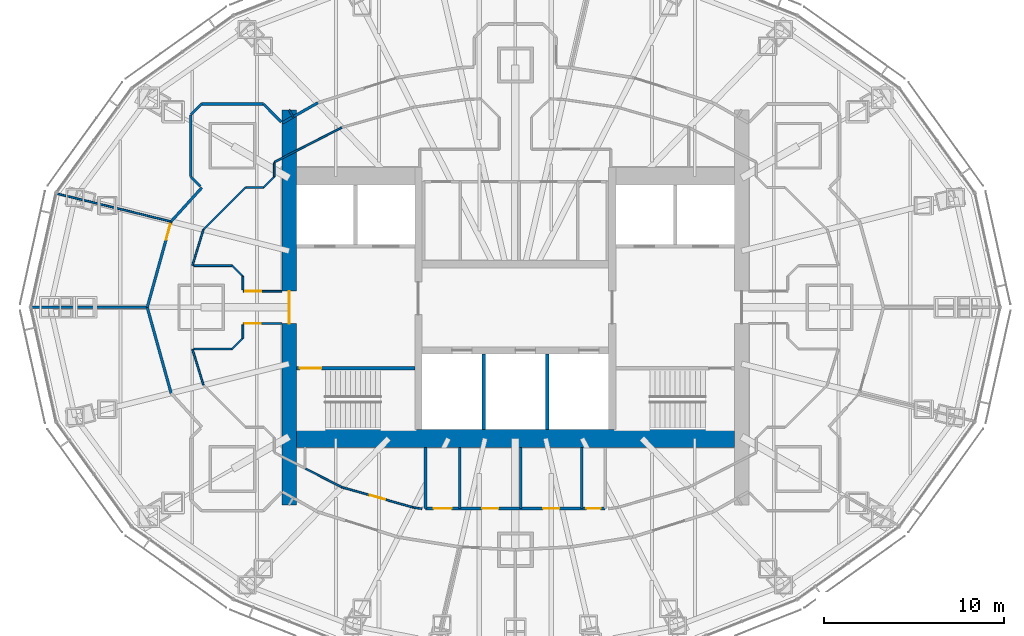
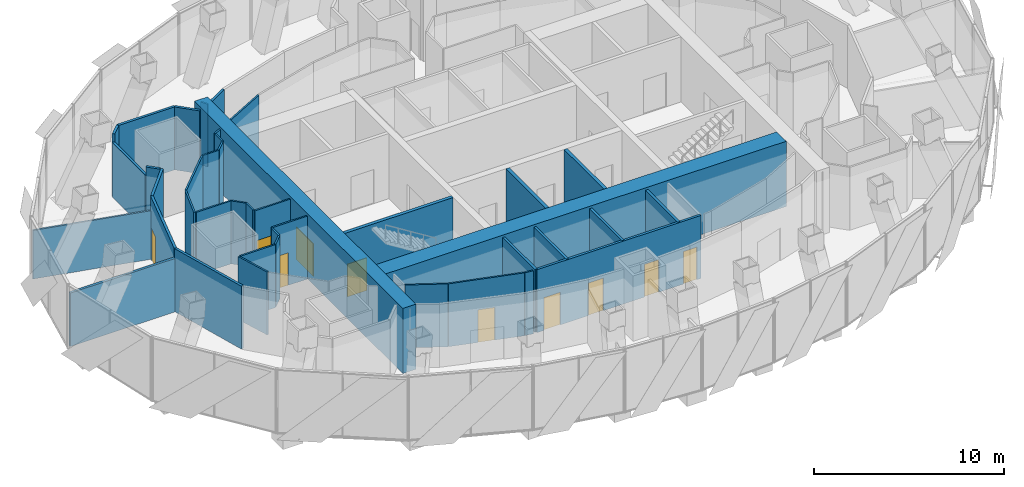
# One storey, part 12 of 18: 40 walls, 10 doors, 10 openings.
"""IFC4 building model written with IfcOpenShell, lengths in metres."""

import ifcopenshell
import ifcopenshell.guid

model = None  # the IFC model being written
_history = None  # IfcOwnerHistory: only IFC2X3 demands one
_inside = {}  # id of a spatial element -> (the spatial element, [elements in it])
_under = {}  # id of a project, library or spatial element -> (it, [spatial elements below it])
_declared = {}  # id of a project -> (the project, [libraries it declares])
_typed = {}  # id of a type object -> (the type object, [elements of that type])
_made_of = {}  # id of a material, layer set ... -> (it, [elements and type objects made of it])


def new_model(schema):
    """Start an empty IFC model of exactly this schema.

    Asked for "IFC4X3", IfcOpenShell would pick the latest addendum, in which some entities
    have other attributes; the version numbers below select the first issue.
    IFC2X3 requires an IfcOwnerHistory on every rooted entity: one is made here for all.
    """
    global model, _history
    if schema == "IFC4X3":
        model = ifcopenshell.file(schema_version=(4, 3, 0, 0))
    else:
        model = ifcopenshell.file(schema=schema)
    _inside.clear()
    _under.clear()
    _declared.clear()
    _typed.clear()
    _made_of.clear()
    _history = None
    if model.schema == "IFC2X3":
        org = make("IfcOrganization", Name="unknown")
        user = make(
            "IfcPersonAndOrganization",
            ThePerson=make("IfcPerson", FamilyName="unknown"),
            TheOrganization=org,
        )
        app = make(
            "IfcApplication",
            ApplicationDeveloper=org,
            Version="unknown",
            ApplicationFullName="unknown",
            ApplicationIdentifier="unknown",
        )
        _history = make(
            "IfcOwnerHistory",
            OwningUser=user,
            OwningApplication=app,
            ChangeAction="ADDED",
            CreationDate=0,
        )
    return model


def make(cls, **values):
    """One entity of the class cls with the attributes given. An attribute that is None is left unset."""
    return model.create_entity(
        cls, **{name: value for name, value in values.items() if value is not None}
    )


def rooted(cls, **values):
    """An entity with a GlobalId (a new one), such as an element, a storey or a relation."""
    return make(cls, GlobalId=ifcopenshell.guid.new(), OwnerHistory=_history, **values)


def si_unit(unit_type, name, prefix=None):
    """IfcSIUnit, for example si_unit("LENGTHUNIT", "METRE", prefix="MILLI")."""
    return make("IfcSIUnit", UnitType=unit_type, Prefix=prefix, Name=name)


def assignment(units):
    """IfcUnitAssignment: the units of a project."""
    return None if units is None else make("IfcUnitAssignment", Units=units)


def point(xyz):
    """IfcCartesianPoint."""
    return None if xyz is None else make("IfcCartesianPoint", Coordinates=xyz)


def direction(xyz):
    """IfcDirection."""
    return None if xyz is None else make("IfcDirection", DirectionRatios=xyz)


def frame(location, z_axis=None, x_axis=None):
    """IfcAxis2Placement3D, a coordinate frame: its origin and axes. An axis left out is left unset."""
    return make(
        "IfcAxis2Placement3D",
        Location=point(location),
        Axis=direction(z_axis),
        RefDirection=direction(x_axis),
    )


def frame_2d(location, x_axis=None):
    """IfcAxis2Placement2D, a coordinate frame in the plane: its origin and x axis."""
    return make(
        "IfcAxis2Placement2D", Location=point(location), RefDirection=direction(x_axis)
    )


def origin():
    """The frame at (0, 0, 0) with its axes left unset."""
    return frame((0.0, 0.0, 0.0))


def place(relative_to, where):
    """IfcLocalPlacement: puts the frame where relative to a parent placement (None: the world)."""
    return make(
        "IfcLocalPlacement", PlacementRelTo=relative_to, RelativePlacement=where
    )


def context(
    kind, dimensions, precision=None, world=None, true_north=None, identifier=None
):
    """IfcGeometricRepresentationContext, for example the 3D "Model" context."""
    return make(
        "IfcGeometricRepresentationContext",
        ContextIdentifier=identifier,
        ContextType=kind,
        CoordinateSpaceDimension=dimensions,
        Precision=precision,
        WorldCoordinateSystem=world,
        TrueNorth=true_north,
    )


def subcontext(parent, identifier, kind, view, scale=None):
    """IfcGeometricRepresentationSubContext, for example "Body" below "Model"."""
    return make(
        "IfcGeometricRepresentationSubContext",
        ContextIdentifier=identifier,
        ContextType=kind,
        ParentContext=parent,
        TargetScale=scale,
        TargetView=view,
    )


def project(units=None, contexts=None):
    """IfcProject with its units and contexts."""
    return rooted(
        "IfcProject",
        Name="project",
        RepresentationContexts=contexts,
        UnitsInContext=assignment(units),
    )


def spatial(cls, under=None, at=None, **own):
    """A site, building, storey or space (cls), placed at a placement, below another one or the project."""
    s = rooted(cls, ObjectPlacement=at, **own)
    if under is not None:
        _under.setdefault(under.id(), (under, []))[1].append(s)
    return s


def profile(cls, at=None, kind="AREA", **sizes):
    """A parametric profile (cls). Its sizes go by their IFC names, for example OverallWidth=200.0."""
    return make(cls, ProfileType=kind, Position=at, **sizes)


def rectangle(**sizes):
    """IfcRectangleProfileDef."""
    return profile("IfcRectangleProfileDef", **sizes)


def extrude(swept, where, along, depth):
    """IfcExtrudedAreaSolid: the profile swept, set in the frame where, extruded along a direction by depth."""
    return make(
        "IfcExtrudedAreaSolid",
        SweptArea=swept,
        Position=where,
        ExtrudedDirection=direction(along),
        Depth=depth,
    )


def shape(context_of_items, identifier, shape_type, items):
    """IfcShapeRepresentation: the items that make up one representation, for example the "Body"."""
    return make(
        "IfcShapeRepresentation",
        ContextOfItems=context_of_items,
        RepresentationIdentifier=identifier,
        RepresentationType=shape_type,
        Items=items,
    )


def material(Name=None, Category=None):
    """IfcMaterial."""
    return make("IfcMaterial", Name=Name, Category=Category)


def layer(
    of_material, thickness, ventilated=None, Name=None, Category=None, Priority=None
):
    """IfcMaterialLayer: one layer of a wall or slab, of a material (None: an air gap)."""
    return make(
        "IfcMaterialLayer",
        Material=of_material,
        LayerThickness=thickness,
        IsVentilated=ventilated,
        Name=Name,
        Category=Category,
        Priority=Priority,
    )


def layer_set(layers, Name=None):
    """IfcMaterialLayerSet."""
    return make("IfcMaterialLayerSet", MaterialLayers=layers, LayerSetName=Name)


def made_of(thing, what):
    """Note that an element or type object is made of a material, layer set ...; save() writes the relation."""
    if what is not None:
        _made_of.setdefault(what.id(), (what, []))[1].append(thing)
    return thing


def type_object(cls, material=None, **own):
    """A type object (cls), such as IfcWallType, which elements share."""
    return made_of(rooted(cls, **own), material)


def element(
    cls,
    number,
    at=None,
    inside=None,
    cuts=None,
    type_object=None,
    material=None,
    context=None,
    identifier="Body",
    shape_type=None,
    held_by="IfcProductDefinitionShape",
    body=None,
    shapes=None,
    **own,
):
    """One element of the class cls, such as IfcWall. Its Tag is "e" and its number.

    at: its placement. inside: the storey or other place that contains it. cuts: it is an
    opening in that element (IfcRelVoidsElement). A single representation is given by context,
    identifier, shape_type and body (its items); several are given by shapes. held_by: the class
    of the entity that holds the representations. save() writes the other relations.
    """
    e = rooted(cls, Tag="e%d" % number, ObjectPlacement=at, **own)
    if body is not None:
        shapes = [shape(context, identifier, shape_type, body)]
    if shapes is not None:
        e.Representation = make(held_by, Representations=shapes)
    if inside is not None:
        _inside.setdefault(inside.id(), (inside, []))[1].append(e)
    if cuts is not None:
        rooted(
            "IfcRelVoidsElement", RelatingBuildingElement=cuts, RelatedOpeningElement=e
        )
    if type_object is not None:
        _typed.setdefault(type_object.id(), (type_object, []))[1].append(e)
    return made_of(e, material)


def fill(opening, filler):
    """IfcRelFillsElement: the door or window that sits in an opening."""
    return rooted(
        "IfcRelFillsElement",
        RelatingOpeningElement=opening,
        RelatedBuildingElement=filler,
    )


def aggregate(whole, parts):
    """IfcRelAggregates: a whole, such as a stair, and the parts it consists of."""
    return rooted("IfcRelAggregates", RelatingObject=whole, RelatedObjects=parts)


def save(model, path):
    """Write the relations noted so far, then the file.

    IfcRelAggregates (storeys below a building ...), IfcRelContainedInSpatialStructure (elements
    in a storey), IfcRelDefinesByType, IfcRelAssociatesMaterial and IfcRelDeclares: one each for
    every whole, place, type object, material and project.
    """
    for whole, parts in _under.values():
        aggregate(whole, parts)
    for where, things in _inside.values():
        rooted(
            "IfcRelContainedInSpatialStructure",
            RelatedElements=things,
            RelatingStructure=where,
        )
    for kind, things in _typed.values():
        rooted("IfcRelDefinesByType", RelatedObjects=things, RelatingType=kind)
    for what, things in _made_of.values():
        rooted("IfcRelAssociatesMaterial", RelatedObjects=things, RelatingMaterial=what)
    for by, libraries in _declared.values():
        rooted("IfcRelDeclares", RelatingContext=by, RelatedDefinitions=libraries)
    model.write(path)


model = new_model("IFC4")

# Units and contexts
model_context = context("Model", 3, precision=1e-05, world=origin(), true_north=direction((0.0, 1.0)))
body_context = subcontext(model_context, "Body", "Model", "MODEL_VIEW")
ifc_project = project(units=[si_unit("LENGTHUNIT", "METRE"), si_unit("AREAUNIT", "SQUARE_METRE"), si_unit("VOLUMEUNIT", "CUBIC_METRE"), si_unit("PLANEANGLEUNIT", "RADIAN"), si_unit("MASSUNIT", "GRAM", prefix="KILO")], contexts=[model_context])

# Site, building, storey
site_placement = place(None, origin())
site = spatial("IfcSite", under=ifc_project, at=site_placement, CompositionType="ELEMENT")
building_placement = place(site_placement, origin())
building = spatial("IfcBuilding", under=site, at=building_placement, Name="Lantaw Convention Tower", CompositionType="ELEMENT")
storey_placement = place(building_placement, frame((0.0, 0.0, 266.199951171875)))
storey = spatial("IfcBuildingStorey", under=building, at=storey_placement, Name="L62", CompositionType="ELEMENT", Elevation=266.199951171875)

# Wall
ifc_material_1 = material(Name="Concrete C60/75", Category="concrete")
ifc_layer_1 = layer(ifc_material_1, 1.0)
ifc_layer_set_1 = layer_set([ifc_layer_1], Name="Core wall 1000")
wall_type_1 = type_object("IfcWallType", Name="Core wall 1000", PredefinedType="SHEAR", material=ifc_layer_set_1)
wall_1_placement = place(storey_placement, frame((-12.199951171875, -7.300048828125, 0.0), z_axis=(0.0, 0.0, 1.0), x_axis=(1.0, 0.0, 0.0)))
element("IfcWall", 1, at=wall_1_placement, inside=storey, type_object=wall_type_1, Name="Core wall S", PredefinedType="SHEAR", context=body_context, shape_type="SweptSolid", body=[
    extrude(rectangle(XDim=24.39990234375, YDim=1.0, at=frame_2d((12.199951171875, 0.0))), origin(), (0.0, 0.0, 1.0), 4.199951171875),
])

# Wall, opening, door
ifc_layer_2 = layer(ifc_material_1, 0.199951171875)
ifc_layer_set_2 = layer_set([ifc_layer_2], Name="Core wall 200")
wall_type_2 = type_object("IfcWallType", Name="Core wall 200", PredefinedType="SHEAR", material=ifc_layer_set_2)
wall_2_placement = place(storey_placement, frame((-5.60009765625, -3.39990234375, 0.0), z_axis=(0.0, 0.0, 1.0), x_axis=(-1.0, 0.0, 0.0)))
wall_2 = element("IfcWall", 2, at=wall_2_placement, inside=storey, type_object=wall_type_2, Name="Core wall WS", PredefinedType="SHEAR", context=body_context, shape_type="SweptSolid", body=[
    extrude(rectangle(XDim=6.599853515625, YDim=0.199951171875, at=frame_2d((3.2998046875, 0.0))), origin(), (0.0, 0.0, 1.0), 4.199951171875),
])
opening_1_placement = place(wall_2_placement, frame((5.199951171875, 0.0, 0.0)))
opening_1 = element("IfcOpeningElement", 3, at=opening_1_placement, cuts=wall_2, Name="Opening L62.04", PredefinedType="OPENING", context=body_context, shape_type="SweptSolid", body=[
    extrude(rectangle(XDim=1.199951171875, YDim=2.10009765625, at=frame_2d((0.60009765625, 1.050048828125))), frame((0.0, 0.10986328125, 0.0), z_axis=(0.0, -1.0, 0.0), x_axis=(1.0, 0.0, 0.0)), (0.0, 0.0, 1.0), 0.219970703125),
])
ifc_material_2 = material(Name="Steel, fire rated", Category="steel")
door_type_1 = type_object("IfcDoorType", Name="Stair door FD90", OperationType="SINGLE_SWING_RIGHT", PredefinedType="DOOR", material=ifc_material_2)
door_1_placement = place(opening_1_placement, origin())
door_1 = element("IfcDoor", 4, at=door_1_placement, inside=storey, type_object=door_type_1, Name="Exit stair door", OperationType="SINGLE_SWING_RIGHT", OverallHeight=2.10009765625, OverallWidth=1.199951171875, PredefinedType="DOOR", context=body_context, shape_type="SweptSolid", body=[
    extrude(rectangle(XDim=1.199951171875, YDim=2.10009765625, at=frame_2d((0.60009765625, 1.050048828125))), frame((0.0, 0.02490234375, 0.0), z_axis=(0.0, -1.0, 0.0), x_axis=(1.0, 0.0, 0.0)), (0.0, 0.0, 1.0), 0.050048828125),
])
fill(opening_1, door_1)

ifc_layer_3 = layer(ifc_material_1, 0.800048828125)
ifc_layer_set_3 = layer_set([ifc_layer_3], Name="Core wall 800")
wall_type_3 = type_object("IfcWallType", Name="Core wall 800", PredefinedType="SHEAR", material=ifc_layer_set_3)
wall_3_placement = place(storey_placement, frame((-12.60009765625, 11.0, 0.0), z_axis=(0.0, 0.0, 1.0), x_axis=(0.0, -1.0, 0.0)))
wall_3 = element("IfcWall", 5, at=wall_3_placement, inside=storey, type_object=wall_type_3, Name="Core wall W", PredefinedType="SHEAR", context=body_context, shape_type="SweptSolid", body=[
    extrude(rectangle(XDim=22.0, YDim=0.800048828125, at=frame_2d((11.0, 0.0))), origin(), (0.0, 0.0, 1.0), 4.199951171875),
])
opening_2_placement = place(wall_3_placement, frame((10.10009765625, 0.0, 0.0)))
opening_2 = element("IfcOpeningElement", 6, at=opening_2_placement, cuts=wall_3, Name="Opening L62.06", PredefinedType="OPENING", context=body_context, shape_type="SweptSolid", body=[
    extrude(rectangle(XDim=1.800048828125, YDim=2.10009765625, at=frame_2d((0.89990234375, 1.050048828125))), frame((0.0, 0.409912109375, 0.0), z_axis=(0.0, -1.0, 0.0), x_axis=(1.0, 0.0, 0.0)), (0.0, 0.0, 1.0), 0.820068359375),
])
door_type_2 = type_object("IfcDoorType", Name="Lobby double door FD90", OperationType="DOUBLE_DOOR_DOUBLE_SWING", PredefinedType="DOOR", material=ifc_material_2)
door_2_placement = place(opening_2_placement, origin())
door_2 = element("IfcDoor", 7, at=door_2_placement, inside=storey, type_object=door_type_2, Name="Firefighting lobby door", OperationType="DOUBLE_DOOR_DOUBLE_SWING", OverallHeight=2.10009765625, OverallWidth=1.800048828125, PredefinedType="DOOR", context=body_context, shape_type="SweptSolid", body=[
    extrude(rectangle(XDim=1.800048828125, YDim=2.10009765625, at=frame_2d((0.89990234375, 1.050048828125))), frame((0.0, 0.02490234375, 0.0), z_axis=(0.0, -1.0, 0.0), x_axis=(1.0, 0.0, 0.0)), (0.0, 0.0, 1.0), 0.050048828125),
])
fill(opening_2, door_2)

ifc_material_3 = material(Name="Gypsum board on steel studs, fire rated", Category="steel")
ifc_layer_4 = layer(ifc_material_3, 0.14990234375)
ifc_layer_set_4 = layer_set([ifc_layer_4], Name="Corridor wall 150 EI 60")
wall_type_4 = type_object("IfcWallType", Name="Corridor wall 150 EI 60", PredefinedType="PARTITIONING", material=ifc_layer_set_4)
wall_4_placement = place(storey_placement, frame((-19.171875, 4.780029296875, 0.0), z_axis=(0.0, 0.0, 1.0), x_axis=(-0.26770731566, -0.963500281859, 0.0)))
wall_4 = element("IfcWall", 8, at=wall_4_placement, inside=storey, type_object=wall_type_4, Name="Corridor wall 150", PredefinedType="PARTITIONING", context=body_context, shape_type="SweptSolid", body=[
    extrude(rectangle(XDim=4.961181640625, YDim=0.14990234375, at=frame_2d((2.48046875, 0.0))), origin(), (0.0, 0.0, 1.0), 4.050048828125),
])
opening_3_placement = place(wall_4_placement, frame((0.14990234375, 0.0, 0.0)))
opening_3 = element("IfcOpeningElement", 9, at=opening_3_placement, cuts=wall_4, Name="Opening L62.31", PredefinedType="OPENING", context=body_context, shape_type="SweptSolid", body=[
    extrude(rectangle(XDim=0.89990234375, YDim=2.10009765625, at=frame_2d((0.449951171875, 1.050048828125))), frame((0.0, 0.0849609375, 0.0), z_axis=(0.0, -1.0, 0.0), x_axis=(1.0, 0.0, 0.0)), (0.0, 0.0, 1.0), 0.169921875),
])
door_type_3 = type_object("IfcDoorType", Name="Office door 900 FD30", OperationType="SINGLE_SWING_LEFT", PredefinedType="DOOR", material=ifc_material_2)
door_3_placement = place(opening_3_placement, origin())
door_3 = element("IfcDoor", 10, at=door_3_placement, inside=storey, type_object=door_type_3, Name="Meeting room door", OperationType="SINGLE_SWING_LEFT", OverallHeight=2.10009765625, OverallWidth=0.89990234375, PredefinedType="DOOR", context=body_context, shape_type="SweptSolid", body=[
    extrude(rectangle(XDim=0.89990234375, YDim=2.10009765625, at=frame_2d((0.449951171875, 1.050048828125))), frame((0.0, 0.02490234375, 0.0), z_axis=(0.0, -1.0, 0.0), x_axis=(1.0, 0.0, 0.0)), (0.0, 0.0, 1.0), 0.050048828125),
])
fill(opening_3, door_3)

# Walls
wall_5_placement = place(storey_placement, frame((-20.5, 0.0, 0.0), z_axis=(0.0, 0.0, 1.0), x_axis=(0.26770731566, -0.963500281859, 0.0)))
element("IfcWall", 11, at=wall_5_placement, inside=storey, type_object=wall_type_4, Name="Corridor wall 150", PredefinedType="PARTITIONING", context=body_context, shape_type="SweptSolid", body=[
    extrude(rectangle(XDim=4.961181640625, YDim=0.14990234375, at=frame_2d((2.48046875, 0.0))), origin(), (0.0, 0.0, 1.0), 4.050048828125),
])
wall_6_placement = place(storey_placement, frame((-11.000732421875, 11.3916015625, 0.0), z_axis=(0.0, 0.0, 1.0), x_axis=(-0.869722107117, -0.493541747366, 0.0)))
element("IfcWall", 12, at=wall_6_placement, inside=storey, type_object=wall_type_4, Name="Corridor wall 150", PredefinedType="PARTITIONING", context=body_context, shape_type="SweptSolid", body=[
    extrude(rectangle(XDim=2.26953125, YDim=0.14990234375, at=frame_2d((1.134765625, 0.0))), origin(), (0.0, 0.0, 1.0), 4.050048828125),
])
wall_7_placement = place(storey_placement, frame((-17.462646484375, 6.6650390625, 0.0), z_axis=(0.0, 0.0, 1.0), x_axis=(-0.671721890643, -0.74080341632, 0.0)))
element("IfcWall", 13, at=wall_7_placement, inside=storey, type_object=wall_type_4, Name="Corridor wall 150", PredefinedType="PARTITIONING", context=body_context, shape_type="SweptSolid", body=[
    extrude(rectangle(XDim=2.54443359375, YDim=0.14990234375, at=frame_2d((1.272216796875, 0.0))), origin(), (0.0, 0.0, 1.0), 4.050048828125),
])
wall_8_placement = place(storey_placement, frame((-18.074951171875, 10.724609375, 0.0), z_axis=(0.0, 0.0, 1.0), x_axis=(0.707106781187, 0.707106781187, 0.0)))
element("IfcWall", 14, at=wall_8_placement, inside=storey, type_object=wall_type_4, Name="Corridor wall 150", PredefinedType="PARTITIONING", context=body_context, shape_type="SweptSolid", body=[
    extrude(rectangle(XDim=0.84912109375, YDim=0.14990234375, at=frame_2d((0.424560546875, 0.0))), origin(), (0.0, 0.0, 1.0), 4.050048828125),
])
wall_9_placement = place(storey_placement, frame((-17.474609375, 11.324951171875, 0.0), z_axis=(0.0, 0.0, 1.0), x_axis=(1.0, 0.0, 0.0)))
element("IfcWall", 15, at=wall_9_placement, inside=storey, type_object=wall_type_4, Name="Corridor wall 150", PredefinedType="PARTITIONING", context=body_context, shape_type="SweptSolid", body=[
    extrude(rectangle(XDim=3.44921875, YDim=0.14990234375, at=frame_2d((1.724609375, 0.0))), origin(), (0.0, 0.0, 1.0), 4.050048828125),
])
wall_10_placement = place(storey_placement, frame((-14.025390625, 11.324951171875, 0.0), z_axis=(0.0, 0.0, 1.0), x_axis=(0.701113567316, -0.713049623606, 0.0)))
element("IfcWall", 16, at=wall_10_placement, inside=storey, type_object=wall_type_4, Name="Corridor wall 150", PredefinedType="PARTITIONING", context=body_context, shape_type="SweptSolid", body=[
    extrude(rectangle(XDim=1.411376953125, YDim=0.14990234375, at=frame_2d((0.70556640625, 0.0))), origin(), (0.0, 0.0, 1.0), 4.050048828125),
])
wall_11_placement = place(storey_placement, frame((-17.537841796875, 6.73828125, 0.0), z_axis=(0.0, 0.0, 1.0), x_axis=(-0.707106781187, 0.707106781187, 0.0)))
element("IfcWall", 17, at=wall_11_placement, inside=storey, type_object=wall_type_4, Name="Corridor wall 150", PredefinedType="PARTITIONING", context=body_context, shape_type="SweptSolid", body=[
    extrude(rectangle(XDim=0.759521484375, YDim=0.14990234375, at=frame_2d((0.3798828125, 0.0))), origin(), (0.0, 0.0, 1.0), 4.050048828125),
])
wall_12_placement = place(storey_placement, frame((-18.074951171875, 7.275390625, 0.0), z_axis=(0.0, 0.0, 1.0), x_axis=(0.0, 1.0, 0.0)))
element("IfcWall", 18, at=wall_12_placement, inside=storey, type_object=wall_type_4, Name="Corridor wall 150", PredefinedType="PARTITIONING", context=body_context, shape_type="SweptSolid", body=[
    extrude(rectangle(XDim=3.44921875, YDim=0.14990234375, at=frame_2d((1.724609375, 0.0))), origin(), (0.0, 0.0, 1.0), 3.521728515625),
])
ifc_material_4 = material(Name="Gypsum board on steel studs, acoustic", Category="steel")
ifc_layer_5 = layer(ifc_material_4, 0.10009765625)
ifc_layer_set_5 = layer_set([ifc_layer_5], Name="Office partition 100")
wall_type_5 = type_object("IfcWallType", Name="Office partition 100", PredefinedType="PARTITIONING", material=ifc_layer_set_5)
wall_13_placement = place(storey_placement, frame((-25.54296875, 6.33544921875, 0.0), z_axis=(0.0, 0.0, 1.0), x_axis=(0.971467850621, -0.237171278215, 0.0)))
element("IfcWall", 19, at=wall_13_placement, inside=storey, type_object=wall_type_5, Name="Office partition 100", PredefinedType="PARTITIONING", context=body_context, shape_type="SweptSolid", body=[
    extrude(rectangle(XDim=6.55810546875, YDim=0.10009765625, at=frame_2d((3.279052734375, 0.0))), origin(), (0.0, 0.0, 1.0), 3.1279296875),
])
wall_14_placement = place(storey_placement, frame((-5.199951171875, -11.21630859375, 0.0), z_axis=(0.0, 0.0, 1.0), x_axis=(-0.989797891768, 0.142478536811, 0.0)))
element("IfcWall", 20, at=wall_14_placement, inside=storey, type_object=wall_type_5, Name="Office partition 100", PredefinedType="PARTITIONING", context=body_context, shape_type="SweptSolid", body=[
    extrude(rectangle(XDim=0.48486328125, YDim=0.10009765625, at=frame_2d((0.242431640625, 0.0))), origin(), (0.0, 0.0, 1.0), 4.050048828125),
])

# Wall, opening, door
wall_15_placement = place(storey_placement, frame((-5.679931640625, -11.147216796875, 0.0), z_axis=(0.0, 0.0, 1.0), x_axis=(-0.961973498971, 0.273142796496, 0.0)))
wall_15 = element("IfcWall", 21, at=wall_15_placement, inside=storey, type_object=wall_type_5, Name="Office partition 100", PredefinedType="PARTITIONING", context=body_context, shape_type="SweptSolid", body=[
    extrude(rectangle(XDim=4.148193359375, YDim=0.10009765625, at=frame_2d((2.07421875, 0.0))), origin(), (0.0, 0.0, 1.0), 4.050048828125),
])
opening_4_placement = place(wall_15_placement, frame((1.624267578125, 0.0, 0.0)))
opening_4 = element("IfcOpeningElement", 22, at=opening_4_placement, cuts=wall_15, Name="Opening L62.23", PredefinedType="OPENING", context=body_context, shape_type="SweptSolid", body=[
    extrude(rectangle(XDim=0.89990234375, YDim=2.10009765625, at=frame_2d((0.449951171875, 1.050048828125))), frame((0.0, 0.06005859375, 0.0), z_axis=(0.0, -1.0, 0.0), x_axis=(1.0, 0.0, 0.0)), (0.0, 0.0, 1.0), 0.1201171875),
])
ifc_material_5 = material(Name="Timber", Category="wood")
door_type_4 = type_object("IfcDoorType", Name="Office door 900", OperationType="SINGLE_SWING_LEFT", PredefinedType="DOOR", material=ifc_material_5)
door_4_placement = place(opening_4_placement, origin())
door_4 = element("IfcDoor", 23, at=door_4_placement, inside=storey, type_object=door_type_4, Name="Project room door", OperationType="SINGLE_SWING_LEFT", OverallHeight=2.10009765625, OverallWidth=0.89990234375, PredefinedType="DOOR", context=body_context, shape_type="SweptSolid", body=[
    extrude(rectangle(XDim=0.89990234375, YDim=2.10009765625, at=frame_2d((0.449951171875, 1.050048828125))), frame((0.0, 0.02490234375, 0.0), z_axis=(0.0, -1.0, 0.0), x_axis=(1.0, 0.0, 0.0)), (0.0, 0.0, 1.0), 0.050048828125),
])
fill(opening_4, door_4)

# Walls
wall_16_placement = place(storey_placement, frame((-9.67041015625, -10.01416015625, 0.0), z_axis=(0.0, 0.0, 1.0), x_axis=(-0.889605609385, 0.456729525814, 0.0)))
element("IfcWall", 24, at=wall_16_placement, inside=storey, type_object=wall_type_5, Name="Office partition 100", PredefinedType="PARTITIONING", context=body_context, shape_type="SweptSolid", body=[
    extrude(rectangle(XDim=2.292724609375, YDim=0.10009765625, at=frame_2d((1.146484375, 0.0))), origin(), (0.0, 0.0, 1.0), 4.050048828125),
])
wall_17_placement = place(storey_placement, frame((-12.60009765625, 11.0, 0.0), z_axis=(0.0, 0.0, 1.0), x_axis=(0.493794495037, -0.869578631678, 0.0)))
element("IfcWall", 25, at=wall_17_placement, inside=storey, type_object=wall_type_5, Name="Office partition 100", PredefinedType="PARTITIONING", context=body_context, shape_type="SweptSolid", body=[
    extrude(rectangle(XDim=0.448974609375, YDim=0.10009765625, at=frame_2d((0.224609375, 0.0))), origin(), (0.0, 0.0, 1.0), 4.050048828125),
])
wall_18_placement = place(storey_placement, frame((-17.37158203125, -4.331298828125, 0.0), z_axis=(0.0, 0.0, 1.0), x_axis=(-0.293231279211, 0.956041535129, 0.0)))
element("IfcWall", 26, at=wall_18_placement, inside=storey, type_object=wall_type_5, Name="Office partition 100", PredefinedType="PARTITIONING", context=body_context, shape_type="SweptSolid", body=[
    extrude(rectangle(XDim=2.088134765625, YDim=0.10009765625, at=frame_2d((1.0439453125, 0.0))), origin(), (0.0, 0.0, 1.0), 4.050048828125),
])

# Wall, opening, door
wall_19_placement = place(storey_placement, frame((-15.1650390625, -0.89990234375, 0.0), z_axis=(0.0, 0.0, 1.0), x_axis=(1.0, 0.0, 0.0)))
wall_19 = element("IfcWall", 27, at=wall_19_placement, inside=storey, type_object=wall_type_5, Name="Office partition 100", PredefinedType="PARTITIONING", context=body_context, shape_type="SweptSolid", body=[
    extrude(rectangle(XDim=2.1650390625, YDim=0.10009765625, at=frame_2d((1.08251953125, 0.0))), origin(), (0.0, 0.0, 1.0), 4.050048828125),
])
opening_5_placement = place(wall_19_placement, frame((0.10009765625, 0.0, 0.0)))
opening_5 = element("IfcOpeningElement", 28, at=opening_5_placement, cuts=wall_19, Name="Opening L62.22", PredefinedType="OPENING", context=body_context, shape_type="SweptSolid", body=[
    extrude(rectangle(XDim=0.89990234375, YDim=2.10009765625, at=frame_2d((0.449951171875, 1.050048828125))), frame((0.0, 0.06005859375, 0.0), z_axis=(0.0, -1.0, 0.0), x_axis=(1.0, 0.0, 0.0)), (0.0, 0.0, 1.0), 0.1201171875),
])
door_5_placement = place(opening_5_placement, origin())
door_5 = element("IfcDoor", 29, at=door_5_placement, inside=storey, type_object=door_type_4, Name="Meeting room door", OperationType="SINGLE_SWING_LEFT", OverallHeight=2.10009765625, OverallWidth=0.89990234375, PredefinedType="DOOR", context=body_context, shape_type="SweptSolid", body=[
    extrude(rectangle(XDim=0.89990234375, YDim=2.10009765625, at=frame_2d((0.449951171875, 1.050048828125))), frame((0.0, 0.02490234375, 0.0), z_axis=(0.0, -1.0, 0.0), x_axis=(1.0, 0.0, 0.0)), (0.0, 0.0, 1.0), 0.050048828125),
])
fill(opening_5, door_5)

wall_20_placement = place(storey_placement, frame((-13.0, 0.89990234375, 0.0), z_axis=(0.0, 0.0, 1.0), x_axis=(-1.0, 0.0, 0.0)))
wall_20 = element("IfcWall", 30, at=wall_20_placement, inside=storey, type_object=wall_type_5, Name="Office partition 100", PredefinedType="PARTITIONING", context=body_context, shape_type="SweptSolid", body=[
    extrude(rectangle(XDim=2.1650390625, YDim=0.10009765625, at=frame_2d((1.08251953125, 0.0))), origin(), (0.0, 0.0, 1.0), 4.050048828125),
])
opening_6_placement = place(wall_20_placement, frame((1.14990234375, 0.0, 0.0)))
opening_6 = element("IfcOpeningElement", 31, at=opening_6_placement, cuts=wall_20, Name="Opening L62.27", PredefinedType="OPENING", context=body_context, shape_type="SweptSolid", body=[
    extrude(rectangle(XDim=0.89990234375, YDim=2.10009765625, at=frame_2d((0.449951171875, 1.050048828125))), frame((0.0, 0.06005859375, 0.0), z_axis=(0.0, -1.0, 0.0), x_axis=(1.0, 0.0, 0.0)), (0.0, 0.0, 1.0), 0.1201171875),
])
door_6_placement = place(opening_6_placement, origin())
door_6 = element("IfcDoor", 32, at=door_6_placement, inside=storey, type_object=door_type_4, Name="Project room door", OperationType="SINGLE_SWING_LEFT", OverallHeight=2.10009765625, OverallWidth=0.89990234375, PredefinedType="DOOR", context=body_context, shape_type="SweptSolid", body=[
    extrude(rectangle(XDim=0.89990234375, YDim=2.10009765625, at=frame_2d((0.449951171875, 1.050048828125))), frame((0.0, 0.02490234375, 0.0), z_axis=(0.0, -1.0, 0.0), x_axis=(1.0, 0.0, 0.0)), (0.0, 0.0, 1.0), 0.050048828125),
])
fill(opening_6, door_6)

# Walls
wall_21_placement = place(storey_placement, frame((-17.98388671875, 2.3349609375, 0.0), z_axis=(0.0, 0.0, 1.0), x_axis=(0.293231279211, 0.956041535129, 0.0)))
element("IfcWall", 33, at=wall_21_placement, inside=storey, type_object=wall_type_5, Name="Office partition 100", PredefinedType="PARTITIONING", context=body_context, shape_type="SweptSolid", body=[
    extrude(rectangle(XDim=2.088134765625, YDim=0.10009765625, at=frame_2d((1.0439453125, 0.0))), origin(), (0.0, 0.0, 1.0), 4.050048828125),
])
wall_22_placement = place(storey_placement, frame((-15.175048828125, -0.978271484375, 0.0), z_axis=(0.0, 0.0, 1.0), x_axis=(0.0, -1.0, 0.0)))
element("IfcWall", 34, at=wall_22_placement, inside=storey, type_object=wall_type_5, Name="Office partition 100", PredefinedType="PARTITIONING", context=body_context, shape_type="SweptSolid", body=[
    extrude(rectangle(XDim=0.746337890625, YDim=0.10009765625, at=frame_2d((0.373046875, 0.0))), origin(), (0.0, 0.0, 1.0), 4.050048828125),
])
wall_23_placement = place(storey_placement, frame((-15.175048828125, -1.724609375, 0.0), z_axis=(0.0, 0.0, 1.0), x_axis=(-0.707106781187, -0.707106781187, 0.0)))
element("IfcWall", 35, at=wall_23_placement, inside=storey, type_object=wall_type_5, Name="Office partition 100", PredefinedType="PARTITIONING", context=body_context, shape_type="SweptSolid", body=[
    extrude(rectangle(XDim=0.84912109375, YDim=0.10009765625, at=frame_2d((0.424560546875, 0.0))), origin(), (0.0, 0.0, 1.0), 4.050048828125),
])
for number, where, z_axis, x_axis, name in (
    (36, (-15.775390625, -2.324951171875, 0.0), (0.0, 0.0, 1.0), (-1.0, 0.0, 0.0), "Office partition 100"),
    (37, (-17.903076171875, 2.324951171875, 0.0), (0.0, 0.0, 1.0), (1.0, 0.0, 0.0), "Office partition 100"),
):
    element("IfcWall", number, at=place(storey_placement, frame(where, z_axis=z_axis, x_axis=x_axis)), inside=storey, type_object=wall_type_5, Name=name, PredefinedType="PARTITIONING", context=body_context, shape_type="SweptSolid", body=[
        extrude(rectangle(XDim=2.127685546875, YDim=0.10009765625, at=frame_2d((1.06396484375, 0.0))), origin(), (0.0, 0.0, 1.0), 4.050048828125),
    ])
wall_24_placement = place(storey_placement, frame((-15.775390625, 2.324951171875, 0.0), z_axis=(0.0, 0.0, 1.0), x_axis=(0.707106781187, -0.707106781187, 0.0)))
element("IfcWall", 38, at=wall_24_placement, inside=storey, type_object=wall_type_5, Name="Office partition 100", PredefinedType="PARTITIONING", context=body_context, shape_type="SweptSolid", body=[
    extrude(rectangle(XDim=0.84912109375, YDim=0.10009765625, at=frame_2d((0.424560546875, 0.0))), origin(), (0.0, 0.0, 1.0), 4.050048828125),
])
wall_25_placement = place(storey_placement, frame((-15.175048828125, 1.724609375, 0.0), z_axis=(0.0, 0.0, 1.0), x_axis=(0.0, -1.0, 0.0)))
element("IfcWall", 39, at=wall_25_placement, inside=storey, type_object=wall_type_5, Name="Office partition 100", PredefinedType="PARTITIONING", context=body_context, shape_type="SweptSolid", body=[
    extrude(rectangle(XDim=0.746337890625, YDim=0.10009765625, at=frame_2d((0.373046875, 0.0))), origin(), (0.0, 0.0, 1.0), 4.050048828125),
])
wall_26_placement = place(storey_placement, frame((-17.37158203125, 4.331298828125, 0.0), z_axis=(0.0, 0.0, 1.0), x_axis=(0.707587114823, 0.70662612104, 0.0)))
element("IfcWall", 40, at=wall_26_placement, inside=storey, type_object=wall_type_5, Name="Office partition 100", PredefinedType="PARTITIONING", context=body_context, shape_type="SweptSolid", body=[
    extrude(rectangle(XDim=3.302734375, YDim=0.10009765625, at=frame_2d((1.6513671875, 0.0))), origin(), (0.0, 0.0, 1.0), 4.050048828125),
])
wall_27_placement = place(storey_placement, frame((-13.4150390625, 8.091796875, 0.0), z_axis=(0.0, 0.0, 1.0), x_axis=(0.889620520549, 0.45670048108, 0.0)))
element("IfcWall", 41, at=wall_27_placement, inside=storey, type_object=wall_type_5, Name="Office partition 100", PredefinedType="PARTITIONING", context=body_context, shape_type="SweptSolid", body=[
    extrude(rectangle(XDim=4.209228515625, YDim=0.10009765625, at=frame_2d((2.1044921875, 0.0))), origin(), (0.0, 0.0, 1.0), 4.050048828125),
])
wall_28_placement = place(storey_placement, frame((-13.425048828125, 8.045654296875, 0.0), z_axis=(0.0, 0.0, 1.0), x_axis=(0.0, -1.0, 0.0)))
element("IfcWall", 42, at=wall_28_placement, inside=storey, type_object=wall_type_5, Name="Office partition 100", PredefinedType="PARTITIONING", context=body_context, shape_type="SweptSolid", body=[
    extrude(rectangle(XDim=0.770263671875, YDim=0.10009765625, at=frame_2d((0.38525390625, 0.0))), origin(), (0.0, 0.0, 1.0), 4.050048828125),
])
wall_29_placement = place(storey_placement, frame((-13.425048828125, 7.275390625, 0.0), z_axis=(0.0, 0.0, 1.0), x_axis=(-0.707106781187, -0.707106781187, 0.0)))
element("IfcWall", 43, at=wall_29_placement, inside=storey, type_object=wall_type_5, Name="Office partition 100", PredefinedType="PARTITIONING", context=body_context, shape_type="SweptSolid", body=[
    extrude(rectangle(XDim=0.84912109375, YDim=0.10009765625, at=frame_2d((0.424560546875, 0.0))), origin(), (0.0, 0.0, 1.0), 4.050048828125),
])
wall_30_placement = place(storey_placement, frame((-14.025390625, 6.675048828125, 0.0), z_axis=(0.0, 0.0, 1.0), x_axis=(-1.0, 0.0, 0.0)))
element("IfcWall", 44, at=wall_30_placement, inside=storey, type_object=wall_type_5, Name="Office partition 100", PredefinedType="PARTITIONING", context=body_context, shape_type="SweptSolid", body=[
    extrude(rectangle(XDim=0.976806640625, YDim=0.10009765625, at=frame_2d((0.48828125, 0.0))), origin(), (0.0, 0.0, 1.0), 4.050048828125),
])
ifc_material_6 = material(Name="Concrete blockwork, fire rated", Category="masonry")
ifc_layer_6 = layer(ifc_material_6, 0.199951171875)
ifc_layer_set_6 = layer_set([ifc_layer_6], Name="Shaft wall 200 load-bearing")
wall_type_6 = type_object("IfcWallType", Name="Shaft wall 200 load-bearing", PredefinedType="SOLIDWALL", material=ifc_layer_set_6)
for number, where, z_axis, x_axis, name in (
    (45, (-1.7666015625, -2.60009765625, 0.0), (0.0, 0.0, 1.0), (0.0, -1.0, 0.0), "Shaft wall DS1"),
    (46, (1.7666015625, -2.60009765625, 0.0), (0.0, 0.0, 1.0), (0.0, -1.0, 0.0), "Shaft wall DS2"),
):
    element("IfcWall", number, at=place(storey_placement, frame(where, z_axis=z_axis, x_axis=x_axis)), inside=storey, type_object=wall_type_6, Name=name, PredefinedType="SOLIDWALL", context=body_context, shape_type="SweptSolid", body=[
        extrude(rectangle(XDim=4.199951171875, YDim=0.199951171875, at=frame_2d((2.10009765625, 0.0))), origin(), (0.0, 0.0, 1.0), 4.199951171875),
    ])
ifc_layer_7 = layer(ifc_material_3, 0.14990234375)
ifc_layer_set_7 = layer_set([ifc_layer_7], Name="Tenant separation wall 150 EI 60")
wall_type_7 = type_object("IfcWallType", Name="Tenant separation wall 150 EI 60", PredefinedType="PARTITIONING", material=ifc_layer_set_7)
wall_31_placement = place(storey_placement, frame((-26.944091796875, 0.0, 0.0), z_axis=(0.0, 0.0, 1.0), x_axis=(1.0, 0.0, 0.0)))
element("IfcWall", 47, at=wall_31_placement, inside=storey, type_object=wall_type_7, Name="Tenant separation wall 150", PredefinedType="PARTITIONING", context=body_context, shape_type="SweptSolid", body=[
    extrude(rectangle(XDim=6.444091796875, YDim=0.14990234375, at=frame_2d((3.22216796875, 0.0))), origin(), (0.0, 0.0, 1.0), 3.43798828125),
])

# Wall, openings, doors
ifc_material_7 = material(Name="Concrete blockwork", Category="masonry")
ifc_layer_8 = layer(ifc_material_7, 0.14990234375)
ifc_layer_set_8 = layer_set([ifc_layer_8], Name="WC wall 150")
wall_type_8 = type_object("IfcWallType", Name="WC wall 150", PredefinedType="SOLIDWALL", material=ifc_layer_set_8)
wall_32_placement = place(storey_placement, frame((-5.0, -11.199951171875, 0.0), z_axis=(0.0, 0.0, 1.0), x_axis=(1.0, 0.0, 0.0)))
wall_32 = element("IfcWall", 48, at=wall_32_placement, inside=storey, type_object=wall_type_8, Name="WC wall 150", PredefinedType="SOLIDWALL", context=body_context, shape_type="SweptSolid", body=[
    extrude(rectangle(XDim=10.0, YDim=0.14990234375, at=frame_2d((5.0, 0.0))), origin(), (0.0, 0.0, 1.0), 4.050048828125),
])
opening_7_placement = place(wall_32_placement, frame((0.449951171875, 0.0, 0.0)))
opening_7 = element("IfcOpeningElement", 49, at=opening_7_placement, cuts=wall_32, Name="Opening L62.18", PredefinedType="OPENING", context=body_context, shape_type="SweptSolid", body=[
    extrude(rectangle(XDim=1.0, YDim=2.10009765625, at=frame_2d((0.5, 1.050048828125))), frame((0.0, 0.0849609375, 0.0), z_axis=(0.0, -1.0, 0.0), x_axis=(1.0, 0.0, 0.0)), (0.0, 0.0, 1.0), 0.169921875),
])
opening_8_placement = place(wall_32_placement, frame((3.14990234375, 0.0, 0.0)))
opening_8 = element("IfcOpeningElement", 50, at=opening_8_placement, cuts=wall_32, Name="Opening L62.19", PredefinedType="OPENING", context=body_context, shape_type="SweptSolid", body=[
    extrude(rectangle(XDim=0.89990234375, YDim=2.10009765625, at=frame_2d((0.449951171875, 1.050048828125))), frame((0.0, 0.0849609375, 0.0), z_axis=(0.0, -1.0, 0.0), x_axis=(1.0, 0.0, 0.0)), (0.0, 0.0, 1.0), 0.169921875),
])
opening_9_placement = place(wall_32_placement, frame((6.550048828125, 0.0, 0.0)))
opening_9 = element("IfcOpeningElement", 51, at=opening_9_placement, cuts=wall_32, Name="Opening L62.20", PredefinedType="OPENING", context=body_context, shape_type="SweptSolid", body=[
    extrude(rectangle(XDim=0.89990234375, YDim=2.10009765625, at=frame_2d((0.449951171875, 1.050048828125))), frame((0.0, 0.0849609375, 0.0), z_axis=(0.0, -1.0, 0.0), x_axis=(1.0, 0.0, 0.0)), (0.0, 0.0, 1.0), 0.169921875),
])
opening_10_placement = place(wall_32_placement, frame((8.949951171875, 0.0, 0.0)))
opening_10 = element("IfcOpeningElement", 52, at=opening_10_placement, cuts=wall_32, Name="Opening L62.21", PredefinedType="OPENING", context=body_context, shape_type="SweptSolid", body=[
    extrude(rectangle(XDim=0.800048828125, YDim=2.10009765625, at=frame_2d((0.39990234375, 1.050048828125))), frame((0.0, 0.0849609375, 0.0), z_axis=(0.0, -1.0, 0.0), x_axis=(1.0, 0.0, 0.0)), (0.0, 0.0, 1.0), 0.169921875),
])
door_type_5 = type_object("IfcDoorType", Name="Accessible WC door 1000", OperationType="SINGLE_SWING_LEFT", PredefinedType="DOOR", material=ifc_material_5)
door_7_placement = place(opening_7_placement, origin())
door_7 = element("IfcDoor", 53, at=door_7_placement, inside=storey, type_object=door_type_5, Name="Accessible WC door", OperationType="SINGLE_SWING_LEFT", OverallHeight=2.10009765625, OverallWidth=1.0, PredefinedType="DOOR", context=body_context, shape_type="SweptSolid", body=[
    extrude(rectangle(XDim=1.0, YDim=2.10009765625, at=frame_2d((0.5, 1.050048828125))), frame((0.0, 0.02490234375, 0.0), z_axis=(0.0, -1.0, 0.0), x_axis=(1.0, 0.0, 0.0)), (0.0, 0.0, 1.0), 0.050048828125),
])
fill(opening_7, door_7)
door_type_6 = type_object("IfcDoorType", Name="WC door 800", OperationType="SINGLE_SWING_LEFT", PredefinedType="DOOR", material=ifc_material_5)
door_8_placement = place(opening_10_placement, origin())
door_8 = element("IfcDoor", 54, at=door_8_placement, inside=storey, type_object=door_type_6, Name="Pantry door", OperationType="SINGLE_SWING_LEFT", OverallHeight=2.10009765625, OverallWidth=0.800048828125, PredefinedType="DOOR", context=body_context, shape_type="SweptSolid", body=[
    extrude(rectangle(XDim=0.800048828125, YDim=2.10009765625, at=frame_2d((0.39990234375, 1.050048828125))), frame((0.0, 0.02490234375, 0.0), z_axis=(0.0, -1.0, 0.0), x_axis=(1.0, 0.0, 0.0)), (0.0, 0.0, 1.0), 0.050048828125),
])
fill(opening_10, door_8)
door_type_7 = type_object("IfcDoorType", Name="WC door 900", OperationType="SINGLE_SWING_LEFT", PredefinedType="DOOR", material=ifc_material_5)
door_9_placement = place(opening_8_placement, origin())
door_9 = element("IfcDoor", 55, at=door_9_placement, inside=storey, type_object=door_type_7, Name="Male WC door", OperationType="SINGLE_SWING_LEFT", OverallHeight=2.10009765625, OverallWidth=0.89990234375, PredefinedType="DOOR", context=body_context, shape_type="SweptSolid", body=[
    extrude(rectangle(XDim=0.89990234375, YDim=2.10009765625, at=frame_2d((0.449951171875, 1.050048828125))), frame((0.0, 0.02490234375, 0.0), z_axis=(0.0, -1.0, 0.0), x_axis=(1.0, 0.0, 0.0)), (0.0, 0.0, 1.0), 0.050048828125),
])
fill(opening_8, door_9)
door_10_placement = place(opening_9_placement, origin())
door_10 = element("IfcDoor", 56, at=door_10_placement, inside=storey, type_object=door_type_7, Name="Female WC door", OperationType="SINGLE_SWING_LEFT", OverallHeight=2.10009765625, OverallWidth=0.89990234375, PredefinedType="DOOR", context=body_context, shape_type="SweptSolid", body=[
    extrude(rectangle(XDim=0.89990234375, YDim=2.10009765625, at=frame_2d((0.449951171875, 1.050048828125))), frame((0.0, 0.02490234375, 0.0), z_axis=(0.0, -1.0, 0.0), x_axis=(1.0, 0.0, 0.0)), (0.0, 0.0, 1.0), 0.050048828125),
])
fill(opening_9, door_10)

# Walls
for number, where, z_axis, x_axis, name in (
    (57, (-5.0, -7.800048828125, 0.0), (0.0, 0.0, 1.0), (0.0, -1.0, 0.0), "WC wall 150"),
    (58, (-3.10009765625, -7.800048828125, 0.0), (0.0, 0.0, 1.0), (0.0, -1.0, 0.0), "WC wall 150"),
    (59, (0.300048828125, -7.800048828125, 0.0), (0.0, 0.0, 1.0), (0.0, -1.0, 0.0), "WC wall 150"),
    (60, (3.699951171875, -7.800048828125, 0.0), (0.0, 0.0, 1.0), (0.0, -1.0, 0.0), "WC wall 150"),
):
    element("IfcWall", number, at=place(storey_placement, frame(where, z_axis=z_axis, x_axis=x_axis)), inside=storey, type_object=wall_type_8, Name=name, PredefinedType="SOLIDWALL", context=body_context, shape_type="SweptSolid", body=[
        extrude(rectangle(XDim=3.39990234375, YDim=0.14990234375, at=frame_2d((1.699951171875, 0.0))), origin(), (0.0, 0.0, 1.0), 4.050048828125),
    ])

save(model, "model.ifc")
